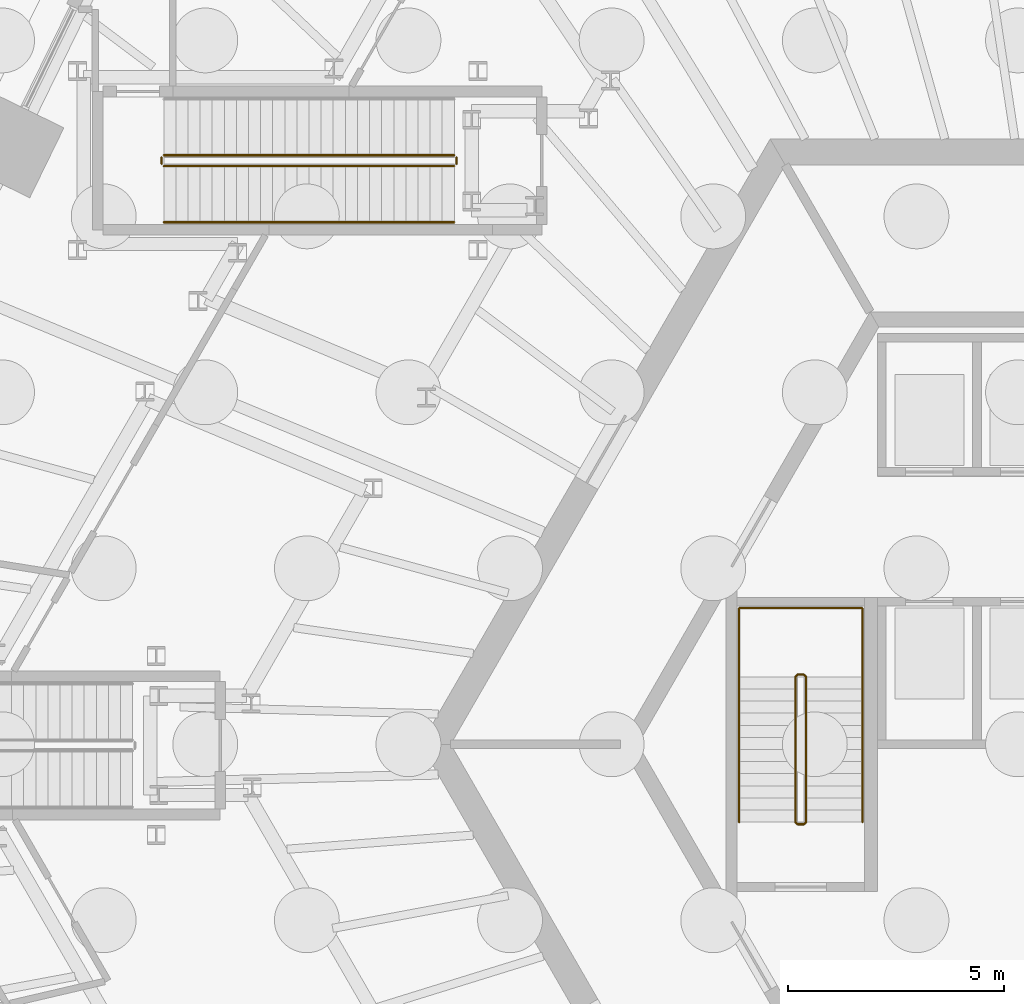
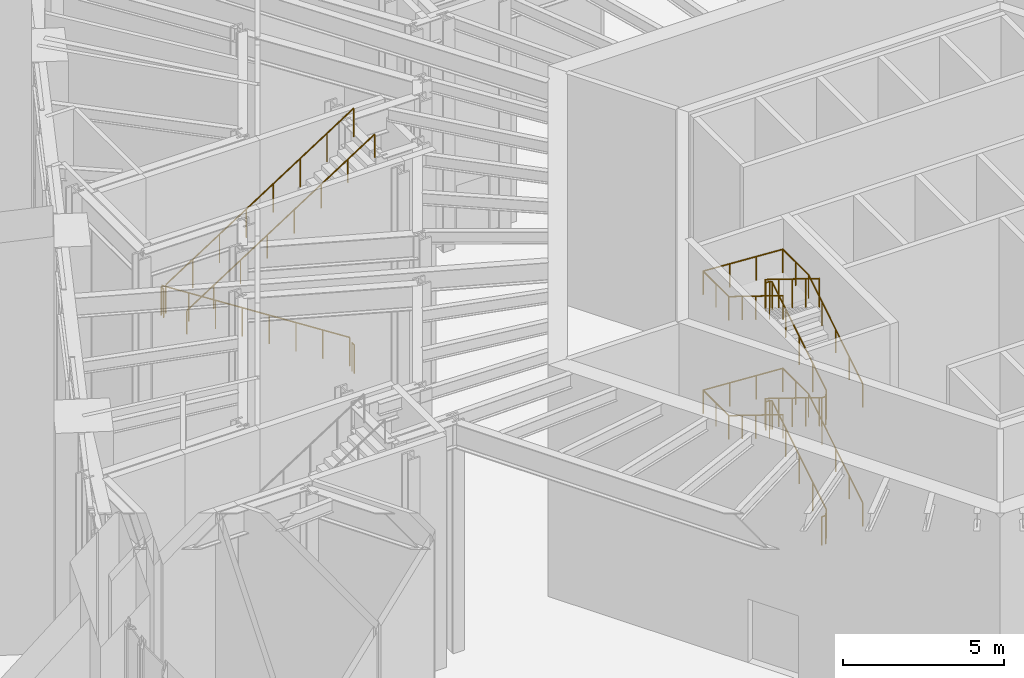
# One storey, part 36 of 43: 8 railings.
"""IFC4 building model written with IfcOpenShell, lengths in metres."""

import ifcopenshell
import ifcopenshell.guid

model = None  # the IFC model being written
_history = None  # IfcOwnerHistory: only IFC2X3 demands one
_inside = {}  # id of a spatial element -> (the spatial element, [elements in it])
_under = {}  # id of a project, library or spatial element -> (it, [spatial elements below it])
_declared = {}  # id of a project -> (the project, [libraries it declares])
_typed = {}  # id of a type object -> (the type object, [elements of that type])
_made_of = {}  # id of a material, layer set ... -> (it, [elements and type objects made of it])


def new_model(schema):
    """Start an empty IFC model of exactly this schema.

    Asked for "IFC4X3", IfcOpenShell would pick the latest addendum, in which some entities
    have other attributes; the version numbers below select the first issue.
    IFC2X3 requires an IfcOwnerHistory on every rooted entity: one is made here for all.
    """
    global model, _history
    if schema == "IFC4X3":
        model = ifcopenshell.file(schema_version=(4, 3, 0, 0))
    else:
        model = ifcopenshell.file(schema=schema)
    _inside.clear()
    _under.clear()
    _declared.clear()
    _typed.clear()
    _made_of.clear()
    _history = None
    if model.schema == "IFC2X3":
        org = make("IfcOrganization", Name="unknown")
        user = make(
            "IfcPersonAndOrganization",
            ThePerson=make("IfcPerson", FamilyName="unknown"),
            TheOrganization=org,
        )
        app = make(
            "IfcApplication",
            ApplicationDeveloper=org,
            Version="unknown",
            ApplicationFullName="unknown",
            ApplicationIdentifier="unknown",
        )
        _history = make(
            "IfcOwnerHistory",
            OwningUser=user,
            OwningApplication=app,
            ChangeAction="ADDED",
            CreationDate=0,
        )
    return model


def make(cls, **values):
    """One entity of the class cls with the attributes given. An attribute that is None is left unset."""
    return model.create_entity(
        cls, **{name: value for name, value in values.items() if value is not None}
    )


def rooted(cls, **values):
    """An entity with a GlobalId (a new one), such as an element, a storey or a relation."""
    return make(cls, GlobalId=ifcopenshell.guid.new(), OwnerHistory=_history, **values)


def si_unit(unit_type, name, prefix=None):
    """IfcSIUnit, for example si_unit("LENGTHUNIT", "METRE", prefix="MILLI")."""
    return make("IfcSIUnit", UnitType=unit_type, Prefix=prefix, Name=name)


def assignment(units):
    """IfcUnitAssignment: the units of a project."""
    return None if units is None else make("IfcUnitAssignment", Units=units)


def point(xyz):
    """IfcCartesianPoint."""
    return None if xyz is None else make("IfcCartesianPoint", Coordinates=xyz)


def direction(xyz):
    """IfcDirection."""
    return None if xyz is None else make("IfcDirection", DirectionRatios=xyz)


def frame(location, z_axis=None, x_axis=None):
    """IfcAxis2Placement3D, a coordinate frame: its origin and axes. An axis left out is left unset."""
    return make(
        "IfcAxis2Placement3D",
        Location=point(location),
        Axis=direction(z_axis),
        RefDirection=direction(x_axis),
    )


def frame_2d(location, x_axis=None):
    """IfcAxis2Placement2D, a coordinate frame in the plane: its origin and x axis."""
    return make(
        "IfcAxis2Placement2D", Location=point(location), RefDirection=direction(x_axis)
    )


def origin():
    """The frame at (0, 0, 0) with its axes left unset."""
    return frame((0.0, 0.0, 0.0))


def origin_2d():
    """The frame at (0, 0) in the plane with its x axis left unset."""
    return frame_2d((0.0, 0.0))


def place(relative_to, where):
    """IfcLocalPlacement: puts the frame where relative to a parent placement (None: the world)."""
    return make(
        "IfcLocalPlacement", PlacementRelTo=relative_to, RelativePlacement=where
    )


def context(
    kind, dimensions, precision=None, world=None, true_north=None, identifier=None
):
    """IfcGeometricRepresentationContext, for example the 3D "Model" context."""
    return make(
        "IfcGeometricRepresentationContext",
        ContextIdentifier=identifier,
        ContextType=kind,
        CoordinateSpaceDimension=dimensions,
        Precision=precision,
        WorldCoordinateSystem=world,
        TrueNorth=true_north,
    )


def subcontext(parent, identifier, kind, view, scale=None):
    """IfcGeometricRepresentationSubContext, for example "Body" below "Model"."""
    return make(
        "IfcGeometricRepresentationSubContext",
        ContextIdentifier=identifier,
        ContextType=kind,
        ParentContext=parent,
        TargetScale=scale,
        TargetView=view,
    )


def project(units=None, contexts=None):
    """IfcProject with its units and contexts."""
    return rooted(
        "IfcProject",
        Name="project",
        RepresentationContexts=contexts,
        UnitsInContext=assignment(units),
    )


def spatial(cls, under=None, at=None, **own):
    """A site, building, storey or space (cls), placed at a placement, below another one or the project."""
    s = rooted(cls, ObjectPlacement=at, **own)
    if under is not None:
        _under.setdefault(under.id(), (under, []))[1].append(s)
    return s


def profile(cls, at=None, kind="AREA", **sizes):
    """A parametric profile (cls). Its sizes go by their IFC names, for example OverallWidth=200.0."""
    return make(cls, ProfileType=kind, Position=at, **sizes)


def circle(**sizes):
    """IfcCircleProfileDef."""
    return profile("IfcCircleProfileDef", **sizes)


def extrude(swept, where, along, depth):
    """IfcExtrudedAreaSolid: the profile swept, set in the frame where, extruded along a direction by depth."""
    return make(
        "IfcExtrudedAreaSolid",
        SweptArea=swept,
        Position=where,
        ExtrudedDirection=direction(along),
        Depth=depth,
    )


def shape(context_of_items, identifier, shape_type, items):
    """IfcShapeRepresentation: the items that make up one representation, for example the "Body"."""
    return make(
        "IfcShapeRepresentation",
        ContextOfItems=context_of_items,
        RepresentationIdentifier=identifier,
        RepresentationType=shape_type,
        Items=items,
    )


def material(Name=None, Category=None):
    """IfcMaterial."""
    return make("IfcMaterial", Name=Name, Category=Category)


def made_of(thing, what):
    """Note that an element or type object is made of a material, layer set ...; save() writes the relation."""
    if what is not None:
        _made_of.setdefault(what.id(), (what, []))[1].append(thing)
    return thing


def type_object(cls, material=None, **own):
    """A type object (cls), such as IfcWallType, which elements share."""
    return made_of(rooted(cls, **own), material)


def element(
    cls,
    number,
    at=None,
    inside=None,
    cuts=None,
    type_object=None,
    material=None,
    context=None,
    identifier="Body",
    shape_type=None,
    held_by="IfcProductDefinitionShape",
    body=None,
    shapes=None,
    **own,
):
    """One element of the class cls, such as IfcWall. Its Tag is "e" and its number.

    at: its placement. inside: the storey or other place that contains it. cuts: it is an
    opening in that element (IfcRelVoidsElement). A single representation is given by context,
    identifier, shape_type and body (its items); several are given by shapes. held_by: the class
    of the entity that holds the representations. save() writes the other relations.
    """
    e = rooted(cls, Tag="e%d" % number, ObjectPlacement=at, **own)
    if body is not None:
        shapes = [shape(context, identifier, shape_type, body)]
    if shapes is not None:
        e.Representation = make(held_by, Representations=shapes)
    if inside is not None:
        _inside.setdefault(inside.id(), (inside, []))[1].append(e)
    if cuts is not None:
        rooted(
            "IfcRelVoidsElement", RelatingBuildingElement=cuts, RelatedOpeningElement=e
        )
    if type_object is not None:
        _typed.setdefault(type_object.id(), (type_object, []))[1].append(e)
    return made_of(e, material)


def aggregate(whole, parts):
    """IfcRelAggregates: a whole, such as a stair, and the parts it consists of."""
    return rooted("IfcRelAggregates", RelatingObject=whole, RelatedObjects=parts)


def save(model, path):
    """Write the relations noted so far, then the file.

    IfcRelAggregates (storeys below a building ...), IfcRelContainedInSpatialStructure (elements
    in a storey), IfcRelDefinesByType, IfcRelAssociatesMaterial and IfcRelDeclares: one each for
    every whole, place, type object, material and project.
    """
    for whole, parts in _under.values():
        aggregate(whole, parts)
    for where, things in _inside.values():
        rooted(
            "IfcRelContainedInSpatialStructure",
            RelatedElements=things,
            RelatingStructure=where,
        )
    for kind, things in _typed.values():
        rooted("IfcRelDefinesByType", RelatedObjects=things, RelatingType=kind)
    for what, things in _made_of.values():
        rooted("IfcRelAssociatesMaterial", RelatedObjects=things, RelatingMaterial=what)
    for by, libraries in _declared.values():
        rooted("IfcRelDeclares", RelatingContext=by, RelatedDefinitions=libraries)
    model.write(path)


model = new_model("IFC4")

# Units and contexts
model_context = context("Model", 3, precision=1e-05, world=origin(), true_north=direction((0.0, 1.0)))
body_context = subcontext(model_context, "Body", "Model", "MODEL_VIEW")
ifc_project = project(units=[si_unit("LENGTHUNIT", "METRE"), si_unit("AREAUNIT", "SQUARE_METRE"), si_unit("VOLUMEUNIT", "CUBIC_METRE"), si_unit("PLANEANGLEUNIT", "RADIAN"), si_unit("MASSUNIT", "GRAM", prefix="KILO")], contexts=[model_context])

# Site, building, storey
site_placement = place(None, origin())
site = spatial("IfcSite", under=ifc_project, at=site_placement, CompositionType="ELEMENT")
building_placement = place(site_placement, origin())
building = spatial("IfcBuilding", under=site, at=building_placement, Name="Tarnside Tower", CompositionType="ELEMENT")
storey_placement = place(building_placement, origin())
storey = spatial("IfcBuildingStorey", under=building, at=storey_placement, Name="L00", CompositionType="ELEMENT", Elevation=0.0)

# Railings
ifc_material = material(Name="Stainless steel", Category="steel")
railing_type_1 = type_object("IfcRailingType", Name="Podium stair guard 1100", PredefinedType="GUARDRAIL", material=ifc_material)
railing_1_placement = place(storey_placement, frame((-15.389892578125, 13.625, 0.179931640625)))
element("IfcRailing", 1, at=railing_1_placement, inside=storey, type_object=railing_type_1, Name="L00 PS6 stair guard 1", PredefinedType="GUARDRAIL", context=body_context, shape_type="SweptSolid", body=[
    extrude(circle(Radius=0.02392578125, at=origin_2d()), frame((0.0, 0.0, 1.076171875), z_axis=(-0.841182446993, 0.0, 0.540751413193), x_axis=(0.0, -1.0, 0.0)), (0.0, 0.0, 1.0), 7.989013671875),
    extrude(circle(Radius=0.02099609375, at=origin_2d()), origin(), (0.0, 0.0, 1.0), 1.052001953125),
    extrude(circle(Radius=0.02099609375, at=origin_2d()), frame((-0.9599609375, 0.0, 0.6171875)), (0.0, 0.0, 1.0), 1.052001953125),
    extrude(circle(Radius=0.02099609375, at=origin_2d()), frame((-1.920166015625, 0.0, 1.234375)), (0.0, 0.0, 1.0), 1.052001953125),
    extrude(circle(Radius=0.02099609375, at=origin_2d()), frame((-2.880126953125, 0.0, 1.8515625)), (0.0, 0.0, 1.0), 1.052001953125),
    extrude(circle(Radius=0.02099609375, at=origin_2d()), frame((-3.840087890625, 0.0, 2.468505859375)), (0.0, 0.0, 1.0), 1.052001953125),
    extrude(circle(Radius=0.02099609375, at=origin_2d()), frame((-4.800048828125, 0.0, 3.085693359375)), (0.0, 0.0, 1.0), 1.052001953125),
    extrude(circle(Radius=0.02099609375, at=origin_2d()), frame((-5.76025390625, 0.0, 3.702880859375)), (0.0, 0.0, 1.0), 1.052001953125),
    extrude(circle(Radius=0.02099609375, at=origin_2d()), frame((-6.72021484375, 0.0, 4.320068359375)), (0.0, 0.0, 1.0), 1.052001953125),
])
railing_2_placement = place(storey_placement, frame((-22.159912109375, 13.574951171875, 4.5)))
element("IfcRailing", 2, at=railing_2_placement, inside=storey, type_object=railing_type_1, Name="L00 PS6 stair guard 2", PredefinedType="GUARDRAIL", context=body_context, shape_type="SweptSolid", body=[
    extrude(circle(Radius=0.02392578125, at=origin_2d()), frame((0.0, 0.0, 1.076171875), z_axis=(0.0, -1.0, 0.0), x_axis=(1.0, 0.0, 0.0)), (0.0, 0.0, 1.0), 0.14990234375),
    extrude(circle(Radius=0.02099609375, at=origin_2d()), origin(), (0.0, 0.0, 1.0), 1.052001953125),
    extrude(circle(Radius=0.02099609375, at=origin_2d()), frame((0.0, -0.14990234375, 0.0)), (0.0, 0.0, 1.0), 1.052001953125),
])
railing_3_placement = place(storey_placement, frame((-22.110107421875, 13.375, 4.679931640625)))
element("IfcRailing", 3, at=railing_3_placement, inside=storey, type_object=railing_type_1, Name="L00 PS6 stair guard 3", PredefinedType="GUARDRAIL", context=body_context, shape_type="SweptSolid", body=[
    extrude(circle(Radius=0.02392578125, at=origin_2d()), frame((0.0, 0.0, 1.076171875), z_axis=(0.841182446993, 0.0, 0.540751413193), x_axis=(0.0, 1.0, 0.0)), (0.0, 0.0, 1.0), 7.989013671875),
    extrude(circle(Radius=0.02099609375, at=origin_2d()), origin(), (0.0, 0.0, 1.0), 1.052001953125),
    extrude(circle(Radius=0.02099609375, at=origin_2d()), frame((0.9599609375, 0.0, 0.6171875)), (0.0, 0.0, 1.0), 1.052001953125),
    extrude(circle(Radius=0.02099609375, at=origin_2d()), frame((1.920166015625, 0.0, 1.234375)), (0.0, 0.0, 1.0), 1.052001953125),
    extrude(circle(Radius=0.02099609375, at=origin_2d()), frame((2.880126953125, 0.0, 1.8515625)), (0.0, 0.0, 1.0), 1.052001953125),
    extrude(circle(Radius=0.02099609375, at=origin_2d()), frame((3.840087890625, 0.0, 2.468505859375)), (0.0, 0.0, 1.0), 1.052001953125),
    extrude(circle(Radius=0.02099609375, at=origin_2d()), frame((4.800048828125, 0.0, 3.085693359375)), (0.0, 0.0, 1.0), 1.052001953125),
    extrude(circle(Radius=0.02099609375, at=origin_2d()), frame((5.76025390625, 0.0, 3.702880859375)), (0.0, 0.0, 1.0), 1.052001953125),
    extrude(circle(Radius=0.02099609375, at=origin_2d()), frame((6.72021484375, 0.0, 4.320068359375)), (0.0, 0.0, 1.0), 1.052001953125),
])
railing_4_placement = place(storey_placement, frame((-15.340087890625, 13.574951171875, 0.0)))
element("IfcRailing", 4, at=railing_4_placement, inside=storey, type_object=railing_type_1, Name="L00 PS6 stair guard 4", PredefinedType="GUARDRAIL", context=body_context, shape_type="SweptSolid", body=[
    extrude(circle(Radius=0.02392578125, at=origin_2d()), frame((0.0, 0.0, 1.076171875), z_axis=(0.0, -1.0, 0.0), x_axis=(1.0, 0.0, 0.0)), (0.0, 0.0, 1.0), 0.14990234375),
    extrude(circle(Radius=0.02099609375, at=origin_2d()), origin(), (0.0, 0.0, 1.0), 1.052001953125),
    extrude(circle(Radius=0.02099609375, at=origin_2d()), frame((0.0, -0.14990234375, 0.0)), (0.0, 0.0, 1.0), 1.052001953125),
])
railing_type_2 = type_object("IfcRailingType", Name="Podium stair handrail 900", PredefinedType="HANDRAIL", material=ifc_material)
railing_5_placement = place(storey_placement, frame((-22.110107421875, 12.074951171875, 4.679931640625)))
element("IfcRailing", 5, at=railing_5_placement, inside=storey, type_object=railing_type_2, Name="L00 PS6 stair handrail 2", PredefinedType="HANDRAIL", context=body_context, shape_type="SweptSolid", body=[
    extrude(circle(Radius=0.02392578125, at=origin_2d()), frame((0.0, 0.0, 0.8857421875), z_axis=(0.841182446993, 0.0, 0.540751413193), x_axis=(0.0, 1.0, 0.0)), (0.0, 0.0, 1.0), 7.989013671875),
    extrude(circle(Radius=0.02099609375, at=origin_2d()), origin(), (0.0, 0.0, 1.0), 0.86181640625),
    extrude(circle(Radius=0.02099609375, at=origin_2d()), frame((0.9599609375, 0.0, 0.6171875)), (0.0, 0.0, 1.0), 0.86181640625),
    extrude(circle(Radius=0.02099609375, at=origin_2d()), frame((1.920166015625, 0.0, 1.234375)), (0.0, 0.0, 1.0), 0.86181640625),
    extrude(circle(Radius=0.02099609375, at=origin_2d()), frame((2.880126953125, 0.0, 1.8515625)), (0.0, 0.0, 1.0), 0.86181640625),
    extrude(circle(Radius=0.02099609375, at=origin_2d()), frame((3.840087890625, 0.0, 2.468505859375)), (0.0, 0.0, 1.0), 0.86181640625),
    extrude(circle(Radius=0.02099609375, at=origin_2d()), frame((4.800048828125, 0.0, 3.085693359375)), (0.0, 0.0, 1.0), 0.86181640625),
    extrude(circle(Radius=0.02099609375, at=origin_2d()), frame((5.76025390625, 0.0, 3.702880859375)), (0.0, 0.0, 1.0), 0.86181640625),
    extrude(circle(Radius=0.02099609375, at=origin_2d()), frame((6.72021484375, 0.0, 4.320068359375)), (0.0, 0.0, 1.0), 0.86181640625),
])
railing_type_3 = type_object("IfcRailingType", Name="Stair guard 1100", PredefinedType="GUARDRAIL", material=ifc_material)
railing_6_placement = place(storey_placement, frame((-7.449951171875, -1.85009765625, 0.0)))
element("IfcRailing", 6, at=railing_6_placement, inside=storey, type_object=railing_type_3, Name="L00 ST2 stair guard 1", PredefinedType="GUARDRAIL", context=body_context, shape_type="SweptSolid", body=[
    extrude(circle(Radius=0.02392578125, at=origin_2d()), frame((0.0, 0.0, 1.076171875), z_axis=(1.0, 0.0, 0.0), x_axis=(0.0, 1.0, 0.0)), (0.0, 0.0, 1.0), 0.14990234375),
    extrude(circle(Radius=0.02392578125, at=origin_2d()), frame((0.14990234375, 0.0, 1.076171875), z_axis=(0.267629722418, 0.267629722418, 0.925607186314), x_axis=(-0.707106781187, 0.707106781187, 0.0)), (0.0, 0.0, 1.0), 0.18701171875),
    extrude(circle(Radius=0.02392578125, at=origin_2d()), frame((0.199951171875, 0.050048828125, 1.2490234375), z_axis=(0.0, 0.850623216509, 0.525775754039), x_axis=(-1.0, 0.0, 0.0)), (0.0, 0.0, 1.0), 3.9501953125),
    extrude(circle(Radius=0.02392578125, at=origin_2d()), frame((0.199951171875, 3.41015625, 3.326171875), z_axis=(-0.707106781187, 0.707106781187, 0.0), x_axis=(-0.707106781187, -0.707106781187, 0.0)), (0.0, 0.0, 1.0), 0.07080078125),
    extrude(circle(Radius=0.02392578125, at=origin_2d()), frame((0.14990234375, 3.460205078125, 3.326171875), z_axis=(-1.0, 0.0, 0.0), x_axis=(0.0, -1.0, 0.0)), (0.0, 0.0, 1.0), 0.14990234375),
    extrude(circle(Radius=0.02392578125, at=origin_2d()), frame((0.0, 3.460205078125, 3.326171875), z_axis=(-0.267629722418, -0.267629722418, 0.925607186314), x_axis=(0.707106781187, -0.707106781187, 0.0)), (0.0, 0.0, 1.0), 0.18701171875),
    extrude(circle(Radius=0.02392578125, at=origin_2d()), frame((-0.050048828125, 3.41015625, 3.4990234375), z_axis=(0.0, -0.850623216509, 0.525775754039), x_axis=(1.0, 0.0, 0.0)), (0.0, 0.0, 1.0), 3.9501953125),
    extrude(circle(Radius=0.02392578125, at=origin_2d()), frame((-0.050048828125, 0.050048828125, 5.576171875), z_axis=(0.707106781187, -0.707106781187, 0.0), x_axis=(0.707106781187, 0.707106781187, 0.0)), (0.0, 0.0, 1.0), 0.07080078125),
    extrude(circle(Radius=0.02392578125, at=origin_2d()), frame((0.0, 0.0, 5.576171875), z_axis=(1.0, 0.0, 0.0), x_axis=(0.0, 1.0, 0.0)), (0.0, 0.0, 1.0), 0.14990234375),
    extrude(circle(Radius=0.02392578125, at=origin_2d()), frame((0.14990234375, 0.0, 5.576171875), z_axis=(0.267629722418, 0.267629722418, 0.925607186314), x_axis=(-0.707106781187, 0.707106781187, 0.0)), (0.0, 0.0, 1.0), 0.18701171875),
    extrude(circle(Radius=0.02392578125, at=origin_2d()), frame((0.199951171875, 0.050048828125, 5.7490234375), z_axis=(0.0, 0.850623216509, 0.525775754039), x_axis=(-1.0, 0.0, 0.0)), (0.0, 0.0, 1.0), 3.9501953125),
    extrude(circle(Radius=0.02392578125, at=origin_2d()), frame((0.199951171875, 3.41015625, 7.826171875), z_axis=(-0.707106781187, 0.707106781187, 0.0), x_axis=(-0.707106781187, -0.707106781187, 0.0)), (0.0, 0.0, 1.0), 0.07080078125),
    extrude(circle(Radius=0.02392578125, at=origin_2d()), frame((0.14990234375, 3.460205078125, 7.826171875), z_axis=(-1.0, 0.0, 0.0), x_axis=(0.0, -1.0, 0.0)), (0.0, 0.0, 1.0), 0.14990234375),
    extrude(circle(Radius=0.02392578125, at=origin_2d()), frame((0.0, 3.460205078125, 7.826171875), z_axis=(-0.267629722418, -0.267629722418, 0.925607186314), x_axis=(0.707106781187, -0.707106781187, 0.0)), (0.0, 0.0, 1.0), 0.18701171875),
    extrude(circle(Radius=0.02392578125, at=origin_2d()), frame((-0.050048828125, 3.41015625, 7.9990234375), z_axis=(0.0, -0.850623216509, 0.525775754039), x_axis=(1.0, 0.0, 0.0)), (0.0, 0.0, 1.0), 3.9501953125),
    extrude(circle(Radius=0.02099609375, at=origin_2d()), origin(), (0.0, 0.0, 1.0), 1.052001953125),
    extrude(circle(Radius=0.02099609375, at=origin_2d()), frame((0.14990234375, 0.0, 0.0)), (0.0, 0.0, 1.0), 1.052001953125),
    extrude(circle(Radius=0.02099609375, at=origin_2d()), frame((0.199951171875, 0.050048828125, 0.173095703125)), (0.0, 0.0, 1.0), 1.052001953125),
    extrude(circle(Radius=0.02099609375, at=origin_2d()), frame((0.199951171875, 0.89013671875, 0.6923828125)), (0.0, 0.0, 1.0), 1.052001953125),
    extrude(circle(Radius=0.02099609375, at=origin_2d()), frame((0.199951171875, 1.72998046875, 1.21142578125)), (0.0, 0.0, 1.0), 1.052001953125),
    extrude(circle(Radius=0.02099609375, at=origin_2d()), frame((0.199951171875, 2.570068359375, 1.730712890625)), (0.0, 0.0, 1.0), 1.052001953125),
    extrude(circle(Radius=0.02099609375, at=origin_2d()), frame((0.199951171875, 3.41015625, 2.25)), (0.0, 0.0, 1.0), 1.052001953125),
    extrude(circle(Radius=0.02099609375, at=origin_2d()), frame((0.14990234375, 3.460205078125, 2.25)), (0.0, 0.0, 1.0), 1.052001953125),
    extrude(circle(Radius=0.02099609375, at=origin_2d()), frame((0.0, 3.460205078125, 2.25)), (0.0, 0.0, 1.0), 1.052001953125),
    extrude(circle(Radius=0.02099609375, at=origin_2d()), frame((-0.050048828125, 3.41015625, 2.423095703125)), (0.0, 0.0, 1.0), 1.052001953125),
    extrude(circle(Radius=0.02099609375, at=origin_2d()), frame((-0.050048828125, 2.570068359375, 2.9423828125)), (0.0, 0.0, 1.0), 1.052001953125),
    extrude(circle(Radius=0.02099609375, at=origin_2d()), frame((-0.050048828125, 1.72998046875, 3.46142578125)), (0.0, 0.0, 1.0), 1.052001953125),
    extrude(circle(Radius=0.02099609375, at=origin_2d()), frame((-0.050048828125, 0.89013671875, 3.980712890625)), (0.0, 0.0, 1.0), 1.052001953125),
    extrude(circle(Radius=0.02099609375, at=origin_2d()), frame((-0.050048828125, 0.050048828125, 4.5)), (0.0, 0.0, 1.0), 1.052001953125),
    extrude(circle(Radius=0.02099609375, at=origin_2d()), frame((0.0, 0.0, 4.5)), (0.0, 0.0, 1.0), 1.052001953125),
    extrude(circle(Radius=0.02099609375, at=origin_2d()), frame((0.14990234375, 0.0, 4.5)), (0.0, 0.0, 1.0), 1.052001953125),
    extrude(circle(Radius=0.02099609375, at=origin_2d()), frame((0.199951171875, 0.050048828125, 4.673095703125)), (0.0, 0.0, 1.0), 1.052001953125),
    extrude(circle(Radius=0.02099609375, at=origin_2d()), frame((0.199951171875, 0.89013671875, 5.1923828125)), (0.0, 0.0, 1.0), 1.052001953125),
    extrude(circle(Radius=0.02099609375, at=origin_2d()), frame((0.199951171875, 1.72998046875, 5.71142578125)), (0.0, 0.0, 1.0), 1.052001953125),
    extrude(circle(Radius=0.02099609375, at=origin_2d()), frame((0.199951171875, 2.570068359375, 6.230712890625)), (0.0, 0.0, 1.0), 1.052001953125),
    extrude(circle(Radius=0.02099609375, at=origin_2d()), frame((0.199951171875, 3.41015625, 6.75)), (0.0, 0.0, 1.0), 1.052001953125),
    extrude(circle(Radius=0.02099609375, at=origin_2d()), frame((0.14990234375, 3.460205078125, 6.75)), (0.0, 0.0, 1.0), 1.052001953125),
    extrude(circle(Radius=0.02099609375, at=origin_2d()), frame((0.0, 3.460205078125, 6.75)), (0.0, 0.0, 1.0), 1.052001953125),
    extrude(circle(Radius=0.02099609375, at=origin_2d()), frame((-0.050048828125, 3.41015625, 6.923095703125)), (0.0, 0.0, 1.0), 1.052001953125),
    extrude(circle(Radius=0.02099609375, at=origin_2d()), frame((-0.050048828125, 2.570068359375, 7.4423828125)), (0.0, 0.0, 1.0), 1.052001953125),
    extrude(circle(Radius=0.02099609375, at=origin_2d()), frame((-0.050048828125, 1.72998046875, 7.96142578125)), (0.0, 0.0, 1.0), 1.052001953125),
    extrude(circle(Radius=0.02099609375, at=origin_2d()), frame((-0.050048828125, 0.89013671875, 8.480712890625)), (0.0, 0.0, 1.0), 1.052001953125),
    extrude(circle(Radius=0.02099609375, at=origin_2d()), frame((-0.050048828125, 0.050048828125, 9.0)), (0.0, 0.0, 1.0), 1.052001953125),
])
railing_type_4 = type_object("IfcRailingType", Name="Stair handrail 900", PredefinedType="HANDRAIL", material=ifc_material)
railing_7_placement = place(storey_placement, frame((-5.949951171875, -1.800048828125, 0.173095703125)))
element("IfcRailing", 7, at=railing_7_placement, inside=storey, type_object=railing_type_4, Name="L00 ST2 stair handrail 1", PredefinedType="HANDRAIL", context=body_context, shape_type="SweptSolid", body=[
    extrude(circle(Radius=0.02392578125, at=origin_2d()), frame((0.0, 0.0, 0.8857421875), z_axis=(0.0, 0.850623216509, 0.525775754039), x_axis=(-1.0, 0.0, 0.0)), (0.0, 0.0, 1.0), 3.9501953125),
    extrude(circle(Radius=0.02392578125, at=origin_2d()), frame((0.0, 3.360107421875, 2.962890625), z_axis=(0.0, 1.0, 0.0), x_axis=(-1.0, 0.0, 0.0)), (0.0, 0.0, 1.0), 1.58984375),
    extrude(circle(Radius=0.02392578125, at=origin_2d()), frame((0.0, 4.949951171875, 2.962890625), z_axis=(-0.9981608223, 0.0, 0.060621554138), x_axis=(0.0, -1.0, 0.0)), (0.0, 0.0, 1.0), 2.85546875),
    extrude(circle(Radius=0.02392578125, at=origin_2d()), frame((-2.85009765625, 4.949951171875, 3.1357421875), z_axis=(0.0, -1.0, 0.0), x_axis=(1.0, 0.0, 0.0)), (0.0, 0.0, 1.0), 1.58984375),
    extrude(circle(Radius=0.02392578125, at=origin_2d()), frame((-2.85009765625, 3.360107421875, 3.1357421875), z_axis=(0.0, -0.850623216509, 0.525775754039), x_axis=(1.0, 0.0, 0.0)), (0.0, 0.0, 1.0), 3.9501953125),
    extrude(circle(Radius=0.02099609375, at=origin_2d()), origin(), (0.0, 0.0, 1.0), 0.86181640625),
    extrude(circle(Radius=0.02099609375, at=origin_2d()), frame((0.0, 0.840087890625, 0.519287109375)), (0.0, 0.0, 1.0), 0.86181640625),
    extrude(circle(Radius=0.02099609375, at=origin_2d()), frame((0.0, 1.68017578125, 1.03857421875)), (0.0, 0.0, 1.0), 0.86181640625),
    extrude(circle(Radius=0.02099609375, at=origin_2d()), frame((0.0, 2.52001953125, 1.5576171875)), (0.0, 0.0, 1.0), 0.86181640625),
    extrude(circle(Radius=0.02099609375, at=origin_2d()), frame((0.0, 3.360107421875, 2.076904296875)), (0.0, 0.0, 1.0), 0.86181640625),
    extrude(circle(Radius=0.02099609375, at=origin_2d()), frame((0.0, 4.155029296875, 2.076904296875)), (0.0, 0.0, 1.0), 0.86181640625),
    extrude(circle(Radius=0.02099609375, at=origin_2d()), frame((0.0, 4.949951171875, 2.076904296875)), (0.0, 0.0, 1.0), 0.86181640625),
    extrude(circle(Radius=0.02099609375, at=origin_2d()), frame((-0.949951171875, 4.949951171875, 2.134521484375)), (0.0, 0.0, 1.0), 0.86181640625),
    extrude(circle(Radius=0.02099609375, at=origin_2d()), frame((-1.900146484375, 4.949951171875, 2.1923828125)), (0.0, 0.0, 1.0), 0.86181640625),
    extrude(circle(Radius=0.02099609375, at=origin_2d()), frame((-2.85009765625, 4.949951171875, 2.25)), (0.0, 0.0, 1.0), 0.86181640625),
    extrude(circle(Radius=0.02099609375, at=origin_2d()), frame((-2.85009765625, 4.155029296875, 2.25)), (0.0, 0.0, 1.0), 0.86181640625),
    extrude(circle(Radius=0.02099609375, at=origin_2d()), frame((-2.85009765625, 3.360107421875, 2.25)), (0.0, 0.0, 1.0), 0.86181640625),
    extrude(circle(Radius=0.02099609375, at=origin_2d()), frame((-2.85009765625, 2.52001953125, 2.769287109375)), (0.0, 0.0, 1.0), 0.86181640625),
    extrude(circle(Radius=0.02099609375, at=origin_2d()), frame((-2.85009765625, 1.68017578125, 3.28857421875)), (0.0, 0.0, 1.0), 0.86181640625),
    extrude(circle(Radius=0.02099609375, at=origin_2d()), frame((-2.85009765625, 0.840087890625, 3.8076171875)), (0.0, 0.0, 1.0), 0.86181640625),
    extrude(circle(Radius=0.02099609375, at=origin_2d()), frame((-2.85009765625, 0.0, 4.326904296875)), (0.0, 0.0, 1.0), 0.86181640625),
])
railing_8_placement = place(storey_placement, frame((-5.949951171875, -1.800048828125, 4.673095703125)))
element("IfcRailing", 8, at=railing_8_placement, inside=storey, type_object=railing_type_4, Name="L00 ST2 stair handrail 2", PredefinedType="HANDRAIL", context=body_context, shape_type="SweptSolid", body=[
    extrude(circle(Radius=0.02392578125, at=origin_2d()), frame((0.0, 0.0, 0.8857421875), z_axis=(0.0, 0.850623216509, 0.525775754039), x_axis=(-1.0, 0.0, 0.0)), (0.0, 0.0, 1.0), 3.9501953125),
    extrude(circle(Radius=0.02392578125, at=origin_2d()), frame((0.0, 3.360107421875, 2.962890625), z_axis=(0.0, 1.0, 0.0), x_axis=(-1.0, 0.0, 0.0)), (0.0, 0.0, 1.0), 1.58984375),
    extrude(circle(Radius=0.02392578125, at=origin_2d()), frame((0.0, 4.949951171875, 2.962890625), z_axis=(-0.9981608223, 0.0, 0.060621554138), x_axis=(0.0, -1.0, 0.0)), (0.0, 0.0, 1.0), 2.85546875),
    extrude(circle(Radius=0.02392578125, at=origin_2d()), frame((-2.85009765625, 4.949951171875, 3.1357421875), z_axis=(0.0, -1.0, 0.0), x_axis=(1.0, 0.0, 0.0)), (0.0, 0.0, 1.0), 1.58984375),
    extrude(circle(Radius=0.02392578125, at=origin_2d()), frame((-2.85009765625, 3.360107421875, 3.1357421875), z_axis=(0.0, -0.850623216509, 0.525775754039), x_axis=(1.0, 0.0, 0.0)), (0.0, 0.0, 1.0), 3.9501953125),
    extrude(circle(Radius=0.02099609375, at=origin_2d()), origin(), (0.0, 0.0, 1.0), 0.86181640625),
    extrude(circle(Radius=0.02099609375, at=origin_2d()), frame((0.0, 0.840087890625, 0.519287109375)), (0.0, 0.0, 1.0), 0.86181640625),
    extrude(circle(Radius=0.02099609375, at=origin_2d()), frame((0.0, 1.68017578125, 1.03857421875)), (0.0, 0.0, 1.0), 0.86181640625),
    extrude(circle(Radius=0.02099609375, at=origin_2d()), frame((0.0, 2.52001953125, 1.5576171875)), (0.0, 0.0, 1.0), 0.86181640625),
    extrude(circle(Radius=0.02099609375, at=origin_2d()), frame((0.0, 3.360107421875, 2.076904296875)), (0.0, 0.0, 1.0), 0.86181640625),
    extrude(circle(Radius=0.02099609375, at=origin_2d()), frame((0.0, 4.155029296875, 2.076904296875)), (0.0, 0.0, 1.0), 0.86181640625),
    extrude(circle(Radius=0.02099609375, at=origin_2d()), frame((0.0, 4.949951171875, 2.076904296875)), (0.0, 0.0, 1.0), 0.86181640625),
    extrude(circle(Radius=0.02099609375, at=origin_2d()), frame((-0.949951171875, 4.949951171875, 2.134521484375)), (0.0, 0.0, 1.0), 0.86181640625),
    extrude(circle(Radius=0.02099609375, at=origin_2d()), frame((-1.900146484375, 4.949951171875, 2.1923828125)), (0.0, 0.0, 1.0), 0.86181640625),
    extrude(circle(Radius=0.02099609375, at=origin_2d()), frame((-2.85009765625, 4.949951171875, 2.25)), (0.0, 0.0, 1.0), 0.86181640625),
    extrude(circle(Radius=0.02099609375, at=origin_2d()), frame((-2.85009765625, 4.155029296875, 2.25)), (0.0, 0.0, 1.0), 0.86181640625),
    extrude(circle(Radius=0.02099609375, at=origin_2d()), frame((-2.85009765625, 3.360107421875, 2.25)), (0.0, 0.0, 1.0), 0.86181640625),
    extrude(circle(Radius=0.02099609375, at=origin_2d()), frame((-2.85009765625, 2.52001953125, 2.769287109375)), (0.0, 0.0, 1.0), 0.86181640625),
    extrude(circle(Radius=0.02099609375, at=origin_2d()), frame((-2.85009765625, 1.68017578125, 3.28857421875)), (0.0, 0.0, 1.0), 0.86181640625),
    extrude(circle(Radius=0.02099609375, at=origin_2d()), frame((-2.85009765625, 0.840087890625, 3.8076171875)), (0.0, 0.0, 1.0), 0.86181640625),
    extrude(circle(Radius=0.02099609375, at=origin_2d()), frame((-2.85009765625, 0.0, 4.326904296875)), (0.0, 0.0, 1.0), 0.86181640625),
])

save(model, "model.ifc")
